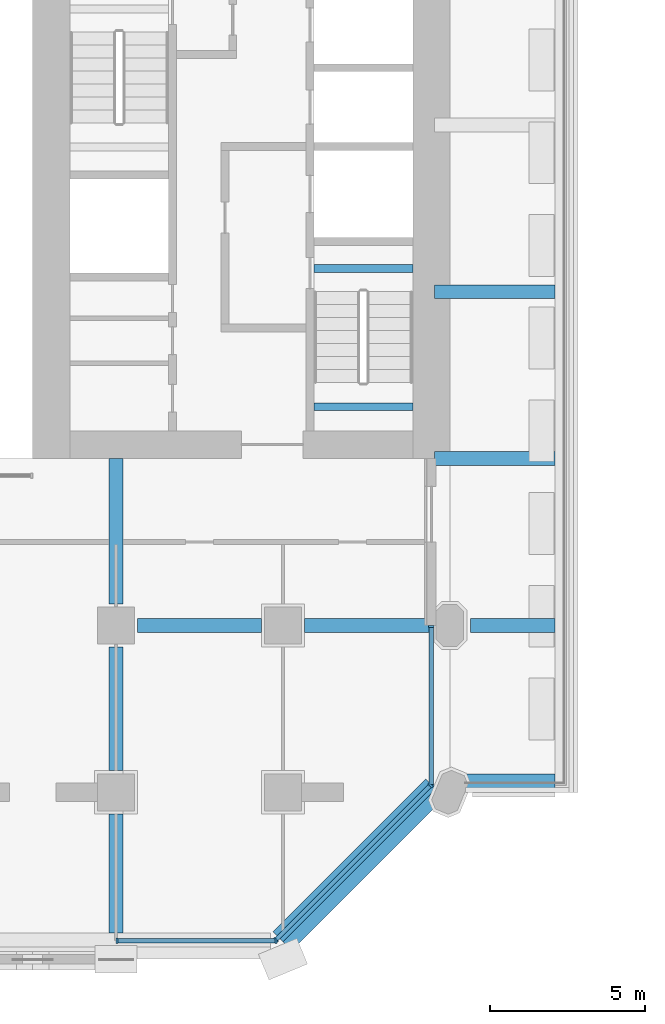
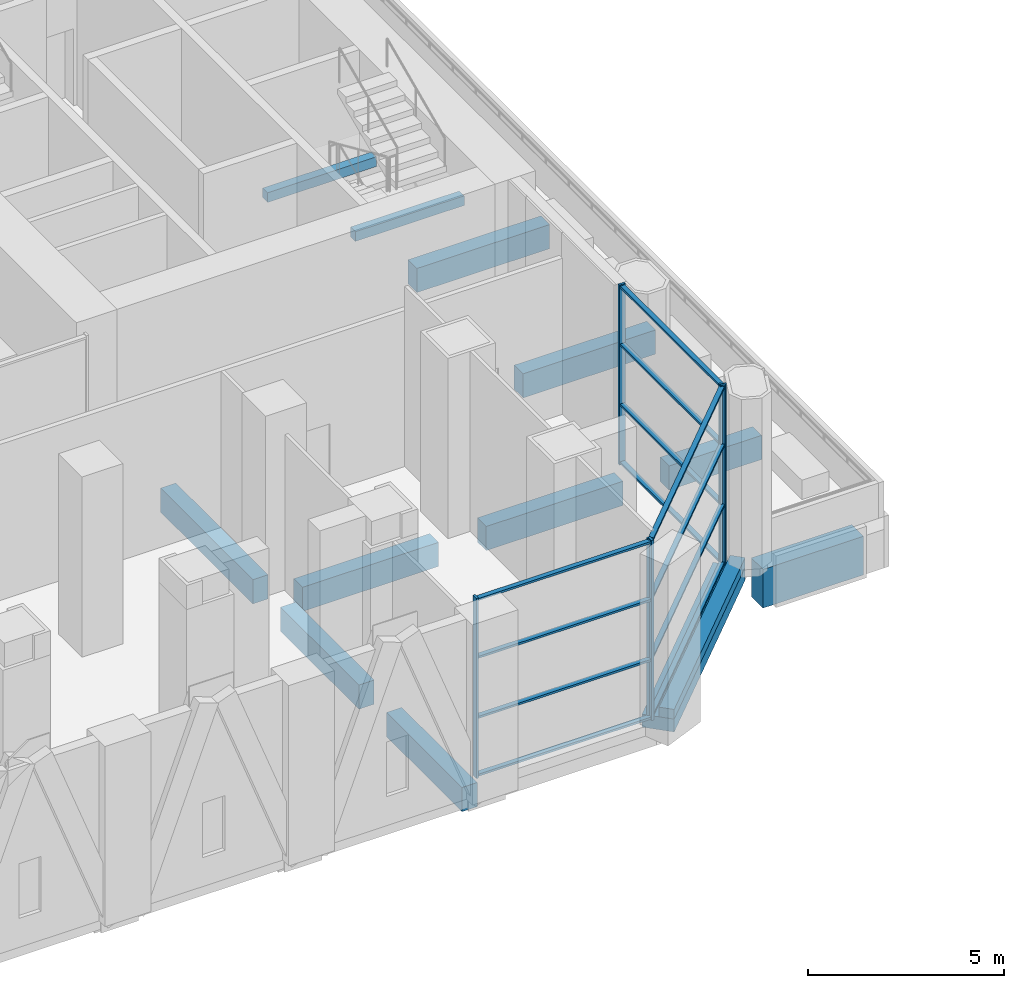
# One storey, part 6 of 34: 18 members, 13 beams, 3 elements without a shape of their own.
"""IFC4 building model written with IfcOpenShell, lengths in metres."""

import ifcopenshell
import ifcopenshell.guid

model = None  # the IFC model being written
_history = None  # IfcOwnerHistory: only IFC2X3 demands one
_inside = {}  # id of a spatial element -> (the spatial element, [elements in it])
_under = {}  # id of a project, library or spatial element -> (it, [spatial elements below it])
_declared = {}  # id of a project -> (the project, [libraries it declares])
_typed = {}  # id of a type object -> (the type object, [elements of that type])
_made_of = {}  # id of a material, layer set ... -> (it, [elements and type objects made of it])


def new_model(schema):
    """Start an empty IFC model of exactly this schema.

    Asked for "IFC4X3", IfcOpenShell would pick the latest addendum, in which some entities
    have other attributes; the version numbers below select the first issue.
    IFC2X3 requires an IfcOwnerHistory on every rooted entity: one is made here for all.
    """
    global model, _history
    if schema == "IFC4X3":
        model = ifcopenshell.file(schema_version=(4, 3, 0, 0))
    else:
        model = ifcopenshell.file(schema=schema)
    _inside.clear()
    _under.clear()
    _declared.clear()
    _typed.clear()
    _made_of.clear()
    _history = None
    if model.schema == "IFC2X3":
        org = make("IfcOrganization", Name="unknown")
        user = make(
            "IfcPersonAndOrganization",
            ThePerson=make("IfcPerson", FamilyName="unknown"),
            TheOrganization=org,
        )
        app = make(
            "IfcApplication",
            ApplicationDeveloper=org,
            Version="unknown",
            ApplicationFullName="unknown",
            ApplicationIdentifier="unknown",
        )
        _history = make(
            "IfcOwnerHistory",
            OwningUser=user,
            OwningApplication=app,
            ChangeAction="ADDED",
            CreationDate=0,
        )
    return model


def make(cls, **values):
    """One entity of the class cls with the attributes given. An attribute that is None is left unset."""
    return model.create_entity(
        cls, **{name: value for name, value in values.items() if value is not None}
    )


def rooted(cls, **values):
    """An entity with a GlobalId (a new one), such as an element, a storey or a relation."""
    return make(cls, GlobalId=ifcopenshell.guid.new(), OwnerHistory=_history, **values)


def si_unit(unit_type, name, prefix=None):
    """IfcSIUnit, for example si_unit("LENGTHUNIT", "METRE", prefix="MILLI")."""
    return make("IfcSIUnit", UnitType=unit_type, Prefix=prefix, Name=name)


def assignment(units):
    """IfcUnitAssignment: the units of a project."""
    return None if units is None else make("IfcUnitAssignment", Units=units)


def point(xyz):
    """IfcCartesianPoint."""
    return None if xyz is None else make("IfcCartesianPoint", Coordinates=xyz)


def direction(xyz):
    """IfcDirection."""
    return None if xyz is None else make("IfcDirection", DirectionRatios=xyz)


def frame(location, z_axis=None, x_axis=None):
    """IfcAxis2Placement3D, a coordinate frame: its origin and axes. An axis left out is left unset."""
    return make(
        "IfcAxis2Placement3D",
        Location=point(location),
        Axis=direction(z_axis),
        RefDirection=direction(x_axis),
    )


def frame_2d(location, x_axis=None):
    """IfcAxis2Placement2D, a coordinate frame in the plane: its origin and x axis."""
    return make(
        "IfcAxis2Placement2D", Location=point(location), RefDirection=direction(x_axis)
    )


def origin():
    """The frame at (0, 0, 0) with its axes left unset."""
    return frame((0.0, 0.0, 0.0))


def origin_2d():
    """The frame at (0, 0) in the plane with its x axis left unset."""
    return frame_2d((0.0, 0.0))


def place(relative_to, where):
    """IfcLocalPlacement: puts the frame where relative to a parent placement (None: the world)."""
    return make(
        "IfcLocalPlacement", PlacementRelTo=relative_to, RelativePlacement=where
    )


def context(
    kind, dimensions, precision=None, world=None, true_north=None, identifier=None
):
    """IfcGeometricRepresentationContext, for example the 3D "Model" context."""
    return make(
        "IfcGeometricRepresentationContext",
        ContextIdentifier=identifier,
        ContextType=kind,
        CoordinateSpaceDimension=dimensions,
        Precision=precision,
        WorldCoordinateSystem=world,
        TrueNorth=true_north,
    )


def subcontext(parent, identifier, kind, view, scale=None):
    """IfcGeometricRepresentationSubContext, for example "Body" below "Model"."""
    return make(
        "IfcGeometricRepresentationSubContext",
        ContextIdentifier=identifier,
        ContextType=kind,
        ParentContext=parent,
        TargetScale=scale,
        TargetView=view,
    )


def project(units=None, contexts=None):
    """IfcProject with its units and contexts."""
    return rooted(
        "IfcProject",
        Name="project",
        RepresentationContexts=contexts,
        UnitsInContext=assignment(units),
    )


def spatial(cls, under=None, at=None, **own):
    """A site, building, storey or space (cls), placed at a placement, below another one or the project."""
    s = rooted(cls, ObjectPlacement=at, **own)
    if under is not None:
        _under.setdefault(under.id(), (under, []))[1].append(s)
    return s


def profile(cls, at=None, kind="AREA", **sizes):
    """A parametric profile (cls). Its sizes go by their IFC names, for example OverallWidth=200.0."""
    return make(cls, ProfileType=kind, Position=at, **sizes)


def rectangle(**sizes):
    """IfcRectangleProfileDef."""
    return profile("IfcRectangleProfileDef", **sizes)


def extrude(swept, where, along, depth):
    """IfcExtrudedAreaSolid: the profile swept, set in the frame where, extruded along a direction by depth."""
    return make(
        "IfcExtrudedAreaSolid",
        SweptArea=swept,
        Position=where,
        ExtrudedDirection=direction(along),
        Depth=depth,
    )


def shape(context_of_items, identifier, shape_type, items):
    """IfcShapeRepresentation: the items that make up one representation, for example the "Body"."""
    return make(
        "IfcShapeRepresentation",
        ContextOfItems=context_of_items,
        RepresentationIdentifier=identifier,
        RepresentationType=shape_type,
        Items=items,
    )


def material(Name=None, Category=None):
    """IfcMaterial."""
    return make("IfcMaterial", Name=Name, Category=Category)


def material_profile(
    of_material, cross_section, Name=None, Category=None, Priority=None
):
    """IfcMaterialProfile: a cross section and its material."""
    return make(
        "IfcMaterialProfile",
        Name=Name,
        Material=of_material,
        Profile=cross_section,
        Priority=Priority,
        Category=Category,
    )


def profile_set(profiles, Name=None, composite=None):
    """IfcMaterialProfileSet."""
    return make(
        "IfcMaterialProfileSet",
        Name=Name,
        MaterialProfiles=profiles,
        CompositeProfile=composite,
    )


def made_of(thing, what):
    """Note that an element or type object is made of a material, layer set ...; save() writes the relation."""
    if what is not None:
        _made_of.setdefault(what.id(), (what, []))[1].append(thing)
    return thing


def type_object(cls, material=None, **own):
    """A type object (cls), such as IfcWallType, which elements share."""
    return made_of(rooted(cls, **own), material)


def element(
    cls,
    number,
    at=None,
    inside=None,
    cuts=None,
    type_object=None,
    material=None,
    context=None,
    identifier="Body",
    shape_type=None,
    held_by="IfcProductDefinitionShape",
    body=None,
    shapes=None,
    **own,
):
    """One element of the class cls, such as IfcWall. Its Tag is "e" and its number.

    at: its placement. inside: the storey or other place that contains it. cuts: it is an
    opening in that element (IfcRelVoidsElement). A single representation is given by context,
    identifier, shape_type and body (its items); several are given by shapes. held_by: the class
    of the entity that holds the representations. save() writes the other relations.
    """
    e = rooted(cls, Tag="e%d" % number, ObjectPlacement=at, **own)
    if body is not None:
        shapes = [shape(context, identifier, shape_type, body)]
    if shapes is not None:
        e.Representation = make(held_by, Representations=shapes)
    if inside is not None:
        _inside.setdefault(inside.id(), (inside, []))[1].append(e)
    if cuts is not None:
        rooted(
            "IfcRelVoidsElement", RelatingBuildingElement=cuts, RelatedOpeningElement=e
        )
    if type_object is not None:
        _typed.setdefault(type_object.id(), (type_object, []))[1].append(e)
    return made_of(e, material)


def aggregate(whole, parts):
    """IfcRelAggregates: a whole, such as a stair, and the parts it consists of."""
    return rooted("IfcRelAggregates", RelatingObject=whole, RelatedObjects=parts)


def save(model, path):
    """Write the relations noted so far, then the file.

    IfcRelAggregates (storeys below a building ...), IfcRelContainedInSpatialStructure (elements
    in a storey), IfcRelDefinesByType, IfcRelAssociatesMaterial and IfcRelDeclares: one each for
    every whole, place, type object, material and project.
    """
    for whole, parts in _under.values():
        aggregate(whole, parts)
    for where, things in _inside.values():
        rooted(
            "IfcRelContainedInSpatialStructure",
            RelatedElements=things,
            RelatingStructure=where,
        )
    for kind, things in _typed.values():
        rooted("IfcRelDefinesByType", RelatedObjects=things, RelatingType=kind)
    for what, things in _made_of.values():
        rooted("IfcRelAssociatesMaterial", RelatedObjects=things, RelatingMaterial=what)
    for by, libraries in _declared.values():
        rooted("IfcRelDeclares", RelatingContext=by, RelatedDefinitions=libraries)
    model.write(path)


model = new_model("IFC4")

# Units and contexts
model_context = context("Model", 3, precision=1e-05, world=origin(), true_north=direction((0.0, 1.0)))
body_context = subcontext(model_context, "Body", "Model", "MODEL_VIEW")
ifc_project = project(units=[si_unit("LENGTHUNIT", "METRE"), si_unit("AREAUNIT", "SQUARE_METRE"), si_unit("VOLUMEUNIT", "CUBIC_METRE"), si_unit("PLANEANGLEUNIT", "RADIAN"), si_unit("MASSUNIT", "GRAM", prefix="KILO")], contexts=[model_context])

# Site, building, storey
site_placement = place(None, origin())
site = spatial("IfcSite", under=ifc_project, at=site_placement, CompositionType="ELEMENT")
building_placement = place(site_placement, origin())
building = spatial("IfcBuilding", under=site, at=building_placement, Name="Tabaq Tower and Sports Hall", CompositionType="ELEMENT")
storey_placement = place(building_placement, frame((0.0, 0.0, 8.39990234375)))
storey = spatial("IfcBuildingStorey", under=building, at=storey_placement, Name="L01", CompositionType="ELEMENT", Elevation=8.39990234375)

# Curtain wall, members
ifc_material_1 = material(Name="Aluminium alloy 6063-T6 framed glazing", Category="aluminium")
curtain_wall_type = type_object("IfcCurtainWallType", Name="CW7 curtain wall", PredefinedType="USERDEFINED", material=ifc_material_1)
curtain_wall_1_placement = place(storey_placement, origin())
curtain_wall_1 = element("IfcCurtainWall", 1, at=curtain_wall_1_placement, inside=storey, type_object=curtain_wall_type, Name="Podium Wall L01 S", ObjectType="PODIUM WALL", PredefinedType="USERDEFINED")
ifc_material_2 = material(Name="Aluminium alloy 6063-T6", Category="aluminium")
ifc_material_profile_1 = material_profile(ifc_material_2, rectangle(XDim=0.179931640625, YDim=0.06494140625, at=origin_2d()), Name="MULLION 180x65")
ifc_profile_set_1 = profile_set([ifc_material_profile_1], Name="Aluminium alloy 6063-T6")
member_type_1 = type_object("IfcMemberType", Name="CW7 mullion 180x65", PredefinedType="MULLION", material=ifc_profile_set_1)
member_1_placement = place(storey_placement, frame((32.4326171875, 0.60009765625, 0.0), z_axis=(0.0, 0.0, 1.0), x_axis=(0.0, 1.0, 0.0)))
member_1 = element("IfcMember", 2, at=member_1_placement, type_object=member_type_1, Name="CW7 mullion 1", PredefinedType="MULLION", context=body_context, shape_type="SweptSolid", body=[
    extrude(rectangle(XDim=0.179931640625, YDim=0.06494140625, at=origin_2d()), origin(), (0.0, 0.0, 1.0), 5.60009765625),
])
member_2_placement = place(storey_placement, frame((37.5810546875, 0.60009765625, 0.0), z_axis=(0.0, 0.0, 1.0), x_axis=(0.0, 1.0, 0.0)))
member_2 = element("IfcMember", 3, at=member_2_placement, type_object=member_type_1, Name="CW7 mullion 2", PredefinedType="MULLION", context=body_context, shape_type="SweptSolid", body=[
    extrude(rectangle(XDim=0.179931640625, YDim=0.06494140625, at=origin_2d()), origin(), (0.0, 0.0, 1.0), 5.60009765625),
])

curtain_wall_2_placement = place(storey_placement, origin())
curtain_wall_2 = element("IfcCurtainWall", 4, at=curtain_wall_2_placement, inside=storey, type_object=curtain_wall_type, Name="Podium Wall L01 SE", ObjectType="PODIUM WALL", PredefinedType="USERDEFINED")
member_3_placement = place(storey_placement, frame((37.574462890625, 0.623046875, 0.0), z_axis=(0.0, 0.0, 1.0), x_axis=(-0.707106781187, 0.707106781187, 0.0)))
member_3 = element("IfcMember", 5, at=member_3_placement, type_object=member_type_1, Name="CW7 mullion 1", PredefinedType="MULLION", context=body_context, shape_type="SweptSolid", body=[
    extrude(rectangle(XDim=0.179931640625, YDim=0.06494140625, at=origin_2d()), origin(), (0.0, 0.0, 1.0), 5.60009765625),
])
member_4_placement = place(storey_placement, frame((42.576904296875, 5.62548828125, 0.0), z_axis=(0.0, 0.0, 1.0), x_axis=(-0.707106781187, 0.707106781187, 0.0)))
member_4 = element("IfcMember", 6, at=member_4_placement, type_object=member_type_1, Name="CW7 mullion 2", PredefinedType="MULLION", context=body_context, shape_type="SweptSolid", body=[
    extrude(rectangle(XDim=0.179931640625, YDim=0.06494140625, at=origin_2d()), origin(), (0.0, 0.0, 1.0), 5.60009765625),
])

curtain_wall_3_placement = place(storey_placement, origin())
curtain_wall_3 = element("IfcCurtainWall", 7, at=curtain_wall_3_placement, inside=storey, type_object=curtain_wall_type, Name="Podium Wall L01 E", ObjectType="PODIUM WALL", PredefinedType="USERDEFINED")
member_5_placement = place(storey_placement, frame((42.60009765625, 5.618896484375, 0.0), z_axis=(0.0, 0.0, 1.0), x_axis=(-1.0, 0.0, 0.0)))
member_5 = element("IfcMember", 8, at=member_5_placement, type_object=member_type_1, Name="CW7 mullion 1", PredefinedType="MULLION", context=body_context, shape_type="SweptSolid", body=[
    extrude(rectangle(XDim=0.179931640625, YDim=0.06494140625, at=origin_2d()), origin(), (0.0, 0.0, 1.0), 5.60009765625),
])
member_6_placement = place(storey_placement, frame((42.60009765625, 10.767578125, 0.0), z_axis=(0.0, 0.0, 1.0), x_axis=(-1.0, 0.0, 0.0)))
member_6 = element("IfcMember", 9, at=member_6_placement, type_object=member_type_1, Name="CW7 mullion 2", PredefinedType="MULLION", context=body_context, shape_type="SweptSolid", body=[
    extrude(rectangle(XDim=0.179931640625, YDim=0.06494140625, at=origin_2d()), origin(), (0.0, 0.0, 1.0), 5.60009765625),
])

# Member
ifc_material_3 = material(Name="Aluminium alloy 6063-T6", Category="aluminium")
ifc_material_profile_2 = material_profile(ifc_material_3, rectangle(XDim=0.139892578125, YDim=0.06494140625, at=origin_2d()), Name="TRANSOM 140x65")
ifc_profile_set_2 = profile_set([ifc_material_profile_2], Name="Aluminium alloy 6063-T6")
member_type_2 = type_object("IfcMemberType", Name="CW7 transom 140x65", PredefinedType="USERDEFINED", material=ifc_profile_set_2)
member_7_placement = place(storey_placement, frame((32.465087890625, 0.60009765625, 0.070068359375), z_axis=(1.0, 0.0, 0.0), x_axis=(0.0, 1.0, 0.0)))
member_7 = element("IfcMember", 10, at=member_7_placement, type_object=member_type_2, Name="CW7 transom 1.1", ObjectType="TRANSOM", PredefinedType="USERDEFINED", context=body_context, shape_type="SweptSolid", body=[
    extrude(rectangle(XDim=0.139892578125, YDim=0.06494140625, at=origin_2d()), origin(), (0.0, 0.0, 1.0), 5.08349609375),
])

member_8_placement = place(storey_placement, frame((32.465087890625, 0.60009765625, 1.86669921875), z_axis=(1.0, 0.0, 0.0), x_axis=(0.0, 1.0, 0.0)))
member_8 = element("IfcMember", 11, at=member_8_placement, type_object=member_type_2, Name="CW7 transom 1.2", ObjectType="TRANSOM", PredefinedType="USERDEFINED", context=body_context, shape_type="SweptSolid", body=[
    extrude(rectangle(XDim=0.139892578125, YDim=0.06494140625, at=origin_2d()), origin(), (0.0, 0.0, 1.0), 5.08349609375),
])

member_9_placement = place(storey_placement, frame((32.465087890625, 0.60009765625, 3.7333984375), z_axis=(1.0, 0.0, 0.0), x_axis=(0.0, 1.0, 0.0)))
member_9 = element("IfcMember", 12, at=member_9_placement, type_object=member_type_2, Name="CW7 transom 1.3", ObjectType="TRANSOM", PredefinedType="USERDEFINED", context=body_context, shape_type="SweptSolid", body=[
    extrude(rectangle(XDim=0.139892578125, YDim=0.06494140625, at=origin_2d()), origin(), (0.0, 0.0, 1.0), 5.08349609375),
])

member_10_placement = place(storey_placement, frame((32.465087890625, 0.60009765625, 5.530029296875), z_axis=(1.0, 0.0, 0.0), x_axis=(0.0, 1.0, 0.0)))
member_10 = element("IfcMember", 13, at=member_10_placement, type_object=member_type_2, Name="CW7 transom 1.4", ObjectType="TRANSOM", PredefinedType="USERDEFINED", context=body_context, shape_type="SweptSolid", body=[
    extrude(rectangle(XDim=0.139892578125, YDim=0.06494140625, at=origin_2d()), origin(), (0.0, 0.0, 1.0), 5.08349609375),
])

aggregate(curtain_wall_1, [member_1, member_2, member_7, member_8, member_9, member_10])

member_11_placement = place(storey_placement, frame((37.597412109375, 0.64599609375, 0.070068359375), z_axis=(0.707106781187, 0.707106781187, 0.0), x_axis=(-0.707106781187, 0.707106781187, 0.0)))
member_11 = element("IfcMember", 14, at=member_11_placement, type_object=member_type_2, Name="CW7 transom 1.1", ObjectType="TRANSOM", PredefinedType="USERDEFINED", context=body_context, shape_type="SweptSolid", body=[
    extrude(rectangle(XDim=0.139892578125, YDim=0.06494140625, at=origin_2d()), origin(), (0.0, 0.0, 1.0), 7.009521484375),
])

member_12_placement = place(storey_placement, frame((37.597412109375, 0.64599609375, 1.86669921875), z_axis=(0.707106781187, 0.707106781187, 0.0), x_axis=(-0.707106781187, 0.707106781187, 0.0)))
member_12 = element("IfcMember", 15, at=member_12_placement, type_object=member_type_2, Name="CW7 transom 1.2", ObjectType="TRANSOM", PredefinedType="USERDEFINED", context=body_context, shape_type="SweptSolid", body=[
    extrude(rectangle(XDim=0.139892578125, YDim=0.06494140625, at=origin_2d()), origin(), (0.0, 0.0, 1.0), 7.009521484375),
])

member_13_placement = place(storey_placement, frame((37.597412109375, 0.64599609375, 3.7333984375), z_axis=(0.707106781187, 0.707106781187, 0.0), x_axis=(-0.707106781187, 0.707106781187, 0.0)))
member_13 = element("IfcMember", 16, at=member_13_placement, type_object=member_type_2, Name="CW7 transom 1.3", ObjectType="TRANSOM", PredefinedType="USERDEFINED", context=body_context, shape_type="SweptSolid", body=[
    extrude(rectangle(XDim=0.139892578125, YDim=0.06494140625, at=origin_2d()), origin(), (0.0, 0.0, 1.0), 7.009521484375),
])

member_14_placement = place(storey_placement, frame((37.597412109375, 0.64599609375, 5.530029296875), z_axis=(0.707106781187, 0.707106781187, 0.0), x_axis=(-0.707106781187, 0.707106781187, 0.0)))
member_14 = element("IfcMember", 17, at=member_14_placement, type_object=member_type_2, Name="CW7 transom 1.4", ObjectType="TRANSOM", PredefinedType="USERDEFINED", context=body_context, shape_type="SweptSolid", body=[
    extrude(rectangle(XDim=0.139892578125, YDim=0.06494140625, at=origin_2d()), origin(), (0.0, 0.0, 1.0), 7.009521484375),
])

aggregate(curtain_wall_2, [member_3, member_4, member_11, member_12, member_13, member_14])

member_15_placement = place(storey_placement, frame((42.60009765625, 5.6513671875, 0.070068359375), z_axis=(0.0, 1.0, 0.0), x_axis=(-1.0, 0.0, 0.0)))
member_15 = element("IfcMember", 18, at=member_15_placement, type_object=member_type_2, Name="CW7 transom 1.1", ObjectType="TRANSOM", PredefinedType="USERDEFINED", context=body_context, shape_type="SweptSolid", body=[
    extrude(rectangle(XDim=0.139892578125, YDim=0.06494140625, at=origin_2d()), origin(), (0.0, 0.0, 1.0), 5.083740234375),
])

member_16_placement = place(storey_placement, frame((42.60009765625, 5.6513671875, 1.86669921875), z_axis=(0.0, 1.0, 0.0), x_axis=(-1.0, 0.0, 0.0)))
member_16 = element("IfcMember", 19, at=member_16_placement, type_object=member_type_2, Name="CW7 transom 1.2", ObjectType="TRANSOM", PredefinedType="USERDEFINED", context=body_context, shape_type="SweptSolid", body=[
    extrude(rectangle(XDim=0.139892578125, YDim=0.06494140625, at=origin_2d()), origin(), (0.0, 0.0, 1.0), 5.083740234375),
])

member_17_placement = place(storey_placement, frame((42.60009765625, 5.6513671875, 3.7333984375), z_axis=(0.0, 1.0, 0.0), x_axis=(-1.0, 0.0, 0.0)))
member_17 = element("IfcMember", 20, at=member_17_placement, type_object=member_type_2, Name="CW7 transom 1.3", ObjectType="TRANSOM", PredefinedType="USERDEFINED", context=body_context, shape_type="SweptSolid", body=[
    extrude(rectangle(XDim=0.139892578125, YDim=0.06494140625, at=origin_2d()), origin(), (0.0, 0.0, 1.0), 5.083740234375),
])

member_18_placement = place(storey_placement, frame((42.60009765625, 5.6513671875, 5.530029296875), z_axis=(0.0, 1.0, 0.0), x_axis=(-1.0, 0.0, 0.0)))
member_18 = element("IfcMember", 21, at=member_18_placement, type_object=member_type_2, Name="CW7 transom 1.4", ObjectType="TRANSOM", PredefinedType="USERDEFINED", context=body_context, shape_type="SweptSolid", body=[
    extrude(rectangle(XDim=0.139892578125, YDim=0.06494140625, at=origin_2d()), origin(), (0.0, 0.0, 1.0), 5.083740234375),
])

aggregate(curtain_wall_3, [member_5, member_6, member_15, member_16, member_17, member_18])

# Beams
ifc_material_4 = material(Name="Concrete C40/50", Category="concrete")
ifc_material_profile_3 = material_profile(ifc_material_4, rectangle(XDim=0.60009765625, YDim=1.199951171875, at=origin_2d()), Name="EBT 600x1200")
ifc_profile_set_3 = profile_set([ifc_material_profile_3], Name="Concrete C40/50")
beam_type_1 = type_object("IfcBeamType", Name="Concrete C40/50 PT edge band EBT 600x1200", PredefinedType="BEAM", material=ifc_profile_set_3)
beam_1_placement = place(storey_placement, frame((43.64990234375, 5.699951171875, -1.0), z_axis=(1.0, 0.0, 0.0), x_axis=(0.0, 1.0, 0.0)))
element("IfcBeam", 22, at=beam_1_placement, inside=storey, type_object=beam_type_1, Name="Tray edge band L01", PredefinedType="BEAM", context=body_context, shape_type="SweptSolid", body=[
    extrude(rectangle(XDim=0.60009765625, YDim=1.199951171875, at=origin_2d()), origin(), (0.0, 0.0, 1.0), 2.9501953125),
])
ifc_material_5 = material(Name="Concrete C40/50", Category="concrete")
ifc_material_profile_4 = material_profile(ifc_material_5, rectangle(XDim=0.449951171875, YDim=0.75, at=origin_2d()), Name="CB 450x750")
ifc_profile_set_4 = profile_set([ifc_material_profile_4], Name="Concrete C40/50")
beam_type_2 = type_object("IfcBeamType", Name="PT CANTILEVER BEAM CB 450x750 C40/50", PredefinedType="BEAM", material=ifc_profile_set_4)
beam_2_placement = place(storey_placement, frame((32.39990234375, 0.85009765625, -0.77490234375), z_axis=(0.0, 1.0, 0.0), x_axis=(-1.0, 0.0, 0.0)))
element("IfcBeam", 23, at=beam_2_placement, inside=storey, type_object=beam_type_2, Name="Cantilever Beam L01 S6 span 1", PredefinedType="BEAM", context=body_context, shape_type="SweptSolid", body=[
    extrude(rectangle(XDim=0.449951171875, YDim=0.75, at=origin_2d()), origin(), (0.0, 0.0, 1.0), 3.849853515625),
])
beam_3_placement = place(storey_placement, frame((32.39990234375, 6.10009765625, -0.77490234375), z_axis=(0.0, 1.0, 0.0), x_axis=(-1.0, 0.0, 0.0)))
element("IfcBeam", 24, at=beam_3_placement, inside=storey, type_object=beam_type_2, Name="Cantilever Beam L01 S6 span 2", PredefinedType="BEAM", context=body_context, shape_type="SweptSolid", body=[
    extrude(rectangle(XDim=0.449951171875, YDim=0.75, at=origin_2d()), origin(), (0.0, 0.0, 1.0), 4.0),
])
beam_4_placement = place(storey_placement, frame((32.39990234375, 11.5, -0.77490234375), z_axis=(0.0, 1.0, 0.0), x_axis=(-1.0, 0.0, 0.0)))
element("IfcBeam", 25, at=beam_4_placement, inside=storey, type_object=beam_type_2, Name="Cantilever Beam L01 S6 span 3", PredefinedType="BEAM", context=body_context, shape_type="SweptSolid", body=[
    extrude(rectangle(XDim=0.449951171875, YDim=0.75, at=origin_2d()), origin(), (0.0, 0.0, 1.0), 4.699951171875),
])
beam_5_placement = place(storey_placement, frame((46.60009765625, 10.800048828125, -0.77490234375), z_axis=(-1.0, 0.0, 0.0), x_axis=(0.0, -1.0, 0.0)))
element("IfcBeam", 26, at=beam_5_placement, inside=storey, type_object=beam_type_2, Name="Tray Cantilever Beam L01 T1 span 1", PredefinedType="BEAM", context=body_context, shape_type="SweptSolid", body=[
    extrude(rectangle(XDim=0.449951171875, YDim=0.75, at=origin_2d()), origin(), (0.0, 0.0, 1.0), 2.72509765625),
])
beam_6_placement = place(storey_placement, frame((42.52490234375, 10.800048828125, -0.77490234375), z_axis=(-1.0, 0.0, 0.0), x_axis=(0.0, -1.0, 0.0)))
element("IfcBeam", 27, at=beam_6_placement, inside=storey, type_object=beam_type_2, Name="Tray Cantilever Beam L01 T1 span 2", PredefinedType="BEAM", context=body_context, shape_type="SweptSolid", body=[
    extrude(rectangle(XDim=0.449951171875, YDim=0.75, at=origin_2d()), origin(), (0.0, 0.0, 1.0), 4.02490234375),
])
beam_7_placement = place(storey_placement, frame((37.10009765625, 10.800048828125, -0.77490234375), z_axis=(-1.0, 0.0, 0.0), x_axis=(0.0, -1.0, 0.0)))
element("IfcBeam", 28, at=beam_7_placement, inside=storey, type_object=beam_type_2, Name="Tray Cantilever Beam L01 T1 span 3", PredefinedType="BEAM", context=body_context, shape_type="SweptSolid", body=[
    extrude(rectangle(XDim=0.449951171875, YDim=0.75, at=origin_2d()), origin(), (0.0, 0.0, 1.0), 4.0),
])
for number, where, z_axis, x_axis, name in (
    (29, (46.60009765625, 16.199951171875, -0.77490234375), (-1.0, 0.0, 0.0), (0.0, -1.0, 0.0), "Tray Cantilever Beam L01 T2 span 1"),
    (30, (46.60009765625, 21.60009765625, -0.77490234375), (-1.0, 0.0, 0.0), (0.0, -1.0, 0.0), "Tray Cantilever Beam L01 T3 span 1"),
):
    element("IfcBeam", number, at=place(storey_placement, frame(where, z_axis=z_axis, x_axis=x_axis)), inside=storey, type_object=beam_type_2, Name=name, PredefinedType="BEAM", context=body_context, shape_type="SweptSolid", body=[
        extrude(rectangle(XDim=0.449951171875, YDim=0.75, at=origin_2d()), origin(), (0.0, 0.0, 1.0), 3.900146484375),
    ])
ifc_material_6 = material(Name="Concrete C40/50", Category="concrete")
ifc_material_profile_5 = material_profile(ifc_material_6, rectangle(XDim=0.85009765625, YDim=0.39990234375, at=origin_2d()), Name="EB 850x400")
ifc_profile_set_5 = profile_set([ifc_material_profile_5], Name="Concrete C40/50")
beam_type_3 = type_object("IfcBeamType", Name="PT EDGE BEAM EB 850x400 C40/50", PredefinedType="SPANDREL", material=ifc_profile_set_5)
beam_8_placement = place(storey_placement, frame((37.78369140625, 0.584716796875, -0.199951171875), z_axis=(0.707106781187, 0.707106781187, 0.0), x_axis=(-0.707106781187, 0.707106781187, 0.0)))
element("IfcBeam", 31, at=beam_8_placement, inside=storey, type_object=beam_type_3, Name="Edge Beam L01 2", PredefinedType="SPANDREL", context=body_context, shape_type="SweptSolid", body=[
    extrude(rectangle(XDim=0.85009765625, YDim=0.39990234375, at=origin_2d()), origin(), (0.0, 0.0, 1.0), 6.98486328125),
])
ifc_material_7 = material(Name="Concrete C40/50", Category="concrete")
ifc_material_profile_6 = material_profile(ifc_material_7, rectangle(XDim=0.39990234375, YDim=0.300048828125, at=origin_2d()), Name="EU 400x300")
ifc_profile_set_6 = profile_set([ifc_material_profile_6], Name="Concrete C40/50")
beam_type_4 = type_object("IfcBeamType", Name="PT EDGE UPSTAND EU 400x300 C40/50", PredefinedType="BEAM", material=ifc_profile_set_6)
beam_9_placement = place(storey_placement, frame((37.94287109375, 0.42578125, 0.150146484375), z_axis=(0.707106781187, 0.707106781187, 0.0), x_axis=(-0.707106781187, 0.707106781187, 0.0)))
element("IfcBeam", 32, at=beam_9_placement, inside=storey, type_object=beam_type_4, Name="Edge Upstand L01 2", PredefinedType="BEAM", context=body_context, shape_type="SweptSolid", body=[
    extrude(rectangle(XDim=0.39990234375, YDim=0.300048828125, at=origin_2d()), origin(), (0.0, 0.0, 1.0), 6.98486328125),
])
ifc_material_8 = material(Name="Concrete C40/50", Category="concrete")
ifc_material_profile_7 = material_profile(ifc_material_8, rectangle(XDim=0.25, YDim=0.300048828125, at=origin_2d()), Name="RC 250x300")
ifc_profile_set_7 = profile_set([ifc_material_profile_7], Name="Concrete C40/50")
beam_type_5 = type_object("IfcBeamType", Name="Stair landing beam 250x300", PredefinedType="BEAM", material=ifc_profile_set_7)
for number, where, z_axis, x_axis, name in (
    (33, (38.800048828125, 22.35009765625, 2.650146484375), (1.0, 0.0, 0.0), (0.0, 1.0, 0.0), "L01 ST3 landing beam 2"),
    (34, (38.800048828125, 17.8798828125, 4.150146484375), (1.0, 0.0, 0.0), (0.0, 1.0, 0.0), "L01 ST3 landing beam 3"),
):
    element("IfcBeam", number, at=place(storey_placement, frame(where, z_axis=z_axis, x_axis=x_axis)), inside=storey, type_object=beam_type_5, Name=name, PredefinedType="BEAM", context=body_context, shape_type="SweptSolid", body=[
        extrude(rectangle(XDim=0.25, YDim=0.300048828125, at=origin_2d()), origin(), (0.0, 0.0, 1.0), 3.199951171875),
    ])

save(model, "model.ifc")
